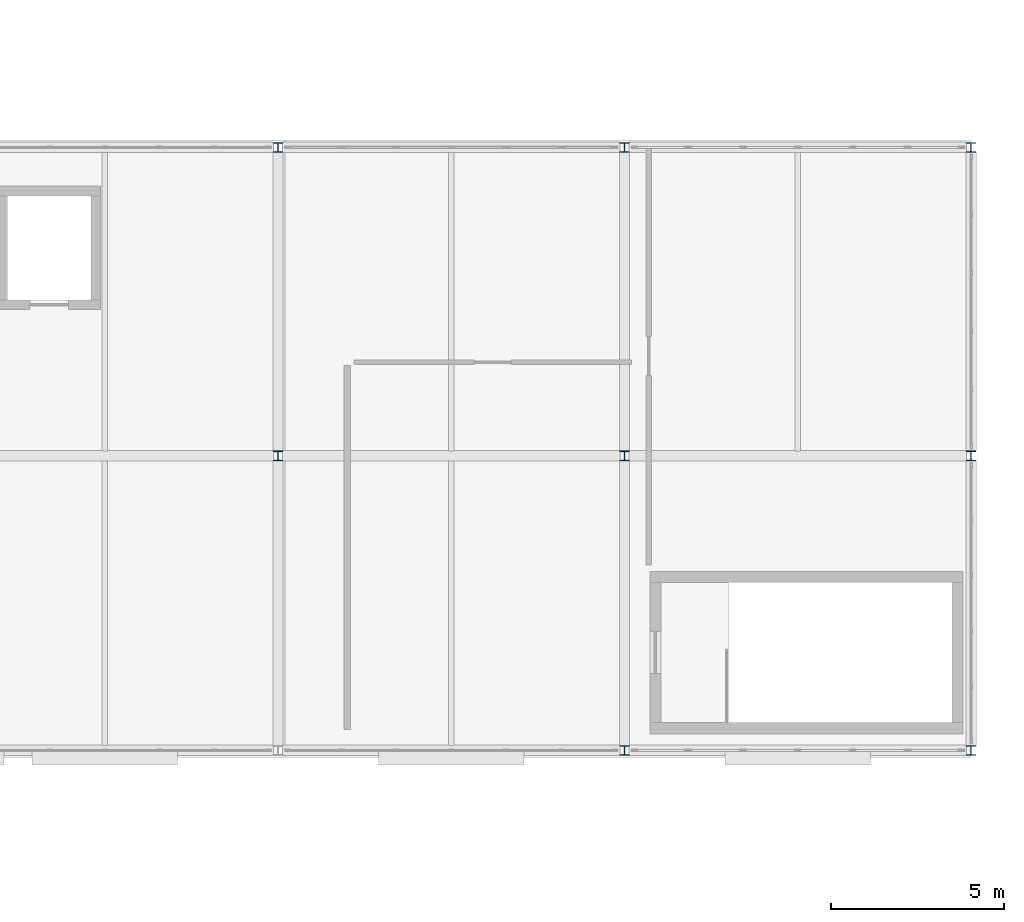
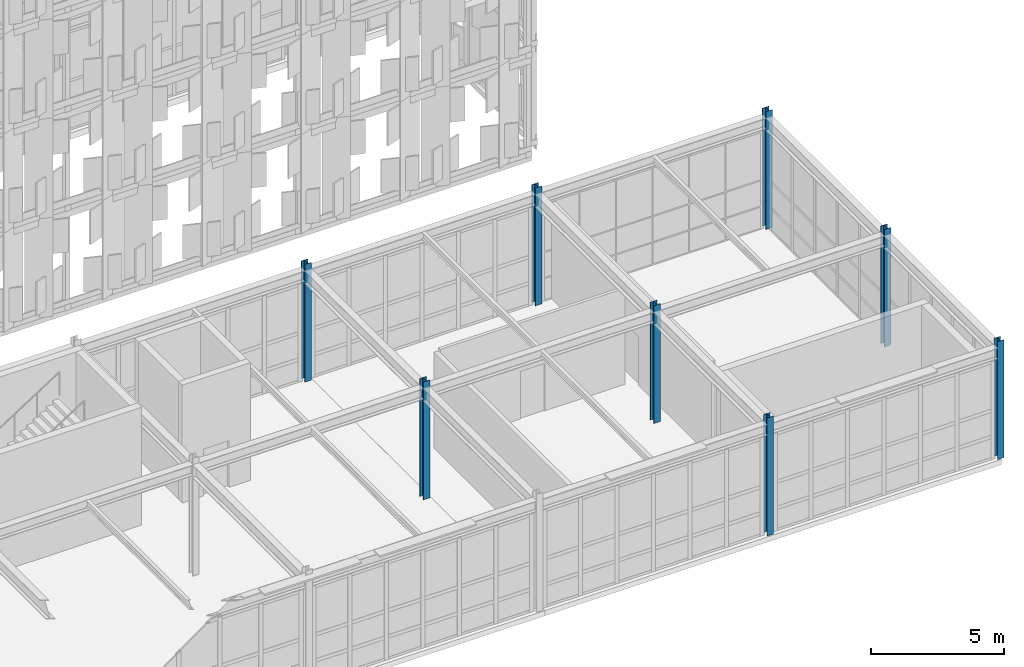
# One storey, part 17 of 239: 8 columns.
"""IFC4 building model written with IfcOpenShell, lengths in metres."""

from ifc_helpers import new_model, si_unit, direction, frame, origin, origin_2d, place, context, subcontext, project, spatial, i_section, extrude, material, material_profile, profile_set, type_object, element, save


model = new_model("IFC4")

# Units and contexts
model_context = context("Model", 3, precision=1e-05, world=origin(), true_north=direction((0.0, 1.0)))
body_context = subcontext(model_context, "Body", "Model", "MODEL_VIEW")
ifc_project = project(units=[si_unit("LENGTHUNIT", "METRE"), si_unit("AREAUNIT", "SQUARE_METRE"), si_unit("VOLUMEUNIT", "CUBIC_METRE"), si_unit("PLANEANGLEUNIT", "RADIAN"), si_unit("MASSUNIT", "GRAM", prefix="KILO")], contexts=[model_context])

# Site, building, storey
site_placement = place(None, origin())
site = spatial("IfcSite", under=ifc_project, at=site_placement, CompositionType="ELEMENT")
building_placement = place(site_placement, origin())
building = spatial("IfcBuilding", under=site, at=building_placement, Name="Kaldris Quays Convention Centre", CompositionType="ELEMENT")
storey_placement = place(building_placement, frame((0.0, 0.0, 11.39990234375)))
storey = spatial("IfcBuildingStorey", under=building, at=storey_placement, Name="L02", CompositionType="ELEMENT", Elevation=11.39990234375)

# Columns
ifc_material = material(Name="Steel S355J2", Category="steel")
ifc_material_profile = material_profile(ifc_material, i_section(OverallWidth=0.280029296875, OverallDepth=0.280029296875, WebThickness=0.010498046875, FlangeThickness=0.01806640625, FilletRadius=0.02392578125, at=origin_2d()), Name="HEB 280")
ifc_profile_set = profile_set([ifc_material_profile], Name="Steel S355J2")
column_type = type_object("IfcColumnType", Name="STRUCTURAL COLUMN CL18", PredefinedType="COLUMN", material=ifc_profile_set)
for number, where, z_axis, x_axis, name in (
    (1, (184.0, 28.5, 0.0), (0.0, 0.0, 1.0), (1.0, 0.0, 0.0), "L02 V5 Column CL18 (184.00, 28.50)"),
    (2, (184.0, 37.39990234375, 0.0), (0.0, 0.0, 1.0), (1.0, 0.0, 0.0), "L02 V5 Column CL18 (184.00, 37.40)"),
    (3, (194.0, 20.0, 0.0), (0.0, 0.0, 1.0), (1.0, 0.0, 0.0), "L02 V5 Column CL18 (194.00, 20.00)"),
    (4, (194.0, 28.5, 0.0), (0.0, 0.0, 1.0), (1.0, 0.0, 0.0), "L02 V5 Column CL18 (194.00, 28.50)"),
    (5, (194.0, 37.39990234375, 0.0), (0.0, 0.0, 1.0), (1.0, 0.0, 0.0), "L02 V5 Column CL18 (194.00, 37.40)"),
    (6, (204.0, 20.0, 0.0), (0.0, 0.0, 1.0), (1.0, 0.0, 0.0), "L02 V5 Column CL18 (204.00, 20.00)"),
    (7, (204.0, 28.5, 0.0), (0.0, 0.0, 1.0), (1.0, 0.0, 0.0), "L02 V5 Column CL18 (204.00, 28.50)"),
    (8, (204.0, 37.39990234375, 0.0), (0.0, 0.0, 1.0), (1.0, 0.0, 0.0), "L02 V5 Column CL18 (204.00, 37.40)"),
):
    element("IfcColumn", number, at=place(storey_placement, frame(where, z_axis=z_axis, x_axis=x_axis)), inside=storey, type_object=column_type, Name=name, PredefinedType="COLUMN", context=body_context, shape_type="SweptSolid", body=[
        extrude(i_section(OverallWidth=0.280029296875, OverallDepth=0.280029296875, WebThickness=0.010498046875, FlangeThickness=0.01806640625, FilletRadius=0.02392578125, at=origin_2d()), origin(), (0.0, 0.0, 1.0), 5.400146484375),
    ])

save(model, "model.ifc")
